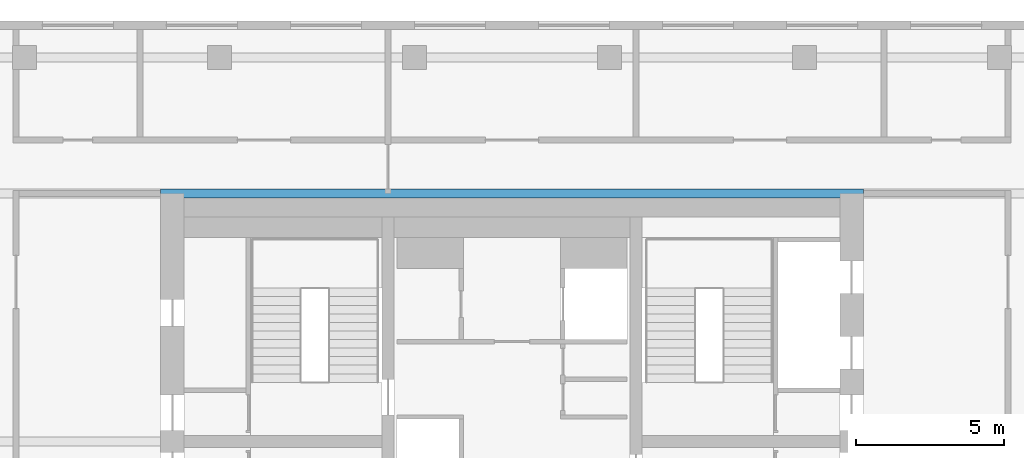
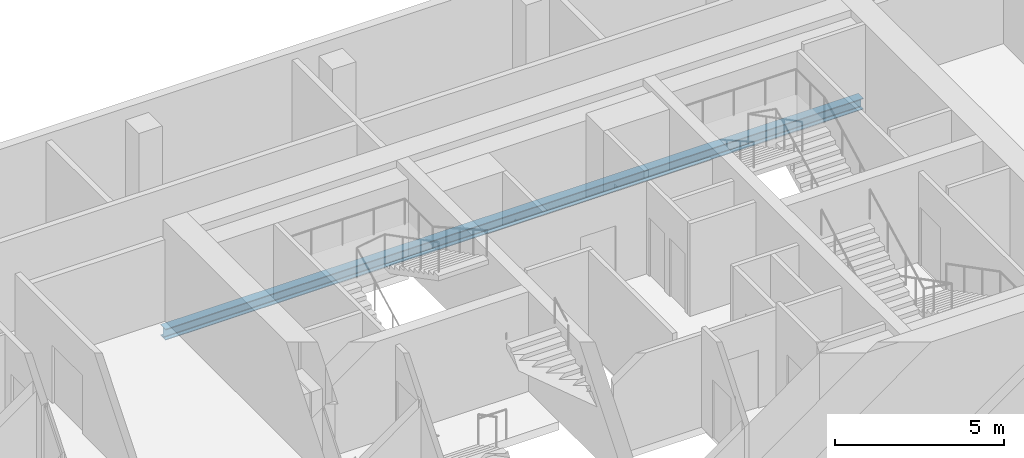
# One storey, part 9 of 22: 1 beam.
"""IFC4 building model written with IfcOpenShell, lengths in metres."""

from ifc_helpers import new_model, si_unit, direction, frame, origin, origin_2d, place, context, subcontext, project, spatial, i_section, extrude, material, material_profile, profile_set, type_object, element, save


model = new_model("IFC4")

# Units and contexts
model_context = context("Model", 3, precision=1e-05, world=origin(), true_north=direction((0.0, 1.0)))
body_context = subcontext(model_context, "Body", "Model", "MODEL_VIEW")
ifc_project = project(units=[si_unit("LENGTHUNIT", "METRE"), si_unit("AREAUNIT", "SQUARE_METRE"), si_unit("VOLUMEUNIT", "CUBIC_METRE"), si_unit("PLANEANGLEUNIT", "RADIAN"), si_unit("MASSUNIT", "GRAM", prefix="KILO")], contexts=[model_context])

# Site, building, storey
site_placement = place(None, origin())
site = spatial("IfcSite", under=ifc_project, at=site_placement, CompositionType="ELEMENT")
building_placement = place(site_placement, origin())
building = spatial("IfcBuilding", under=site, at=building_placement, Name="Marenta Gate Hotel Tower", CompositionType="ELEMENT")
storey_placement = place(building_placement, frame((0.0, 0.0, 194.89990234375)))
storey = spatial("IfcBuildingStorey", under=building, at=storey_placement, Name="L44", CompositionType="ELEMENT", Elevation=194.89990234375)

# Beam
ifc_material = material(Name="Steel S355", Category="steel")
ifc_material_profile = material_profile(ifc_material, i_section(OverallWidth=0.300048828125, OverallDepth=0.39990234375, WebThickness=0.013427734375, FlangeThickness=0.02392578125, FilletRadius=0.027099609375, at=origin_2d()), Name="HEB 400")
ifc_profile_set = profile_set([ifc_material_profile], Name="Steel S355")
beam_type = type_object("IfcBeamType", Name="Girder HEB 400", PredefinedType="BEAM", material=ifc_profile_set)
beam_placement = place(storey_placement, frame((-11.89990234375, 16.800048828125, -0.4599609375), z_axis=(1.0, 0.0, 0.0), x_axis=(0.0, 1.0, 0.0)))
element("IfcBeam", 1, at=beam_placement, inside=storey, type_object=beam_type, Name="L44-GD-31", PredefinedType="BEAM", context=body_context, shape_type="SweptSolid", body=[
    extrude(i_section(OverallWidth=0.300048828125, OverallDepth=0.39990234375, WebThickness=0.013427734375, FlangeThickness=0.02392578125, FilletRadius=0.027099609375, at=origin_2d()), origin(), (0.0, 0.0, 1.0), 23.7998046875),
])

save(model, "model.ifc")
